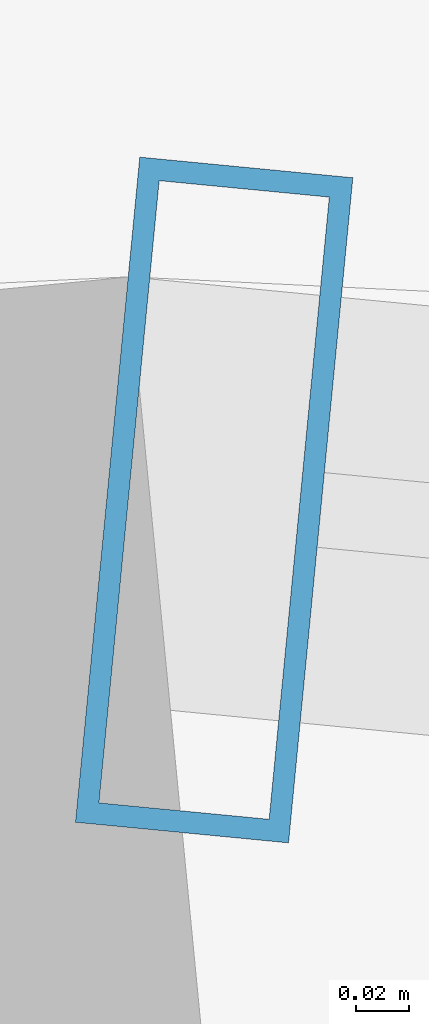
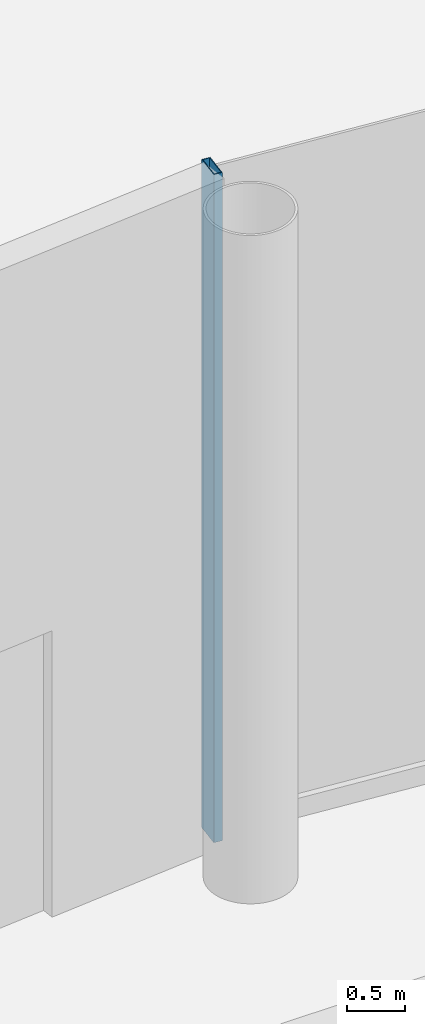
# One storey, part 51 of 67: 1 member, 1 element without a shape of its own.
"""IFC4 building model written with IfcOpenShell, lengths in metres."""

from ifc_helpers import new_model, si_unit, direction, frame, origin, origin_2d, place, context, subcontext, project, spatial, hollow_rectangle, extrude, material, layer, layer_set, material_profile, profile_set, type_object, element, aggregate, save


model = new_model("IFC4")

# Units and contexts
model_context = context("Model", 3, precision=1e-05, world=origin(), true_north=direction((0.0, 1.0)))
body_context = subcontext(model_context, "Body", "Model", "MODEL_VIEW")
ifc_project = project(units=[si_unit("LENGTHUNIT", "METRE"), si_unit("AREAUNIT", "SQUARE_METRE"), si_unit("VOLUMEUNIT", "CUBIC_METRE"), si_unit("PLANEANGLEUNIT", "RADIAN"), si_unit("MASSUNIT", "GRAM", prefix="KILO")], contexts=[model_context])

# Site, building, storey
site_placement = place(None, origin())
site = spatial("IfcSite", under=ifc_project, at=site_placement, CompositionType="ELEMENT")
building_placement = place(site_placement, origin())
building = spatial("IfcBuilding", under=site, at=building_placement, Name="Nagisa Residences", CompositionType="ELEMENT")
storey_placement = place(building_placement, origin())
storey = spatial("IfcBuildingStorey", under=building, at=storey_placement, Name="L00", CompositionType="ELEMENT", Elevation=0.0)

# Curtain wall, member
ifc_material_1 = material(Name="Stainless steel curtain wall system", Category="steel")
ifc_layer = layer(ifc_material_1, 0.159912109375)
ifc_layer_set = layer_set([ifc_layer], Name="CW3 CURTAIN WALL")
curtain_wall_type = type_object("IfcCurtainWallType", Name="CW3 CURTAIN WALL", PredefinedType="NOTDEFINED", material=ifc_layer_set)
curtain_wall_placement = place(storey_placement, origin())
curtain_wall = element("IfcCurtainWall", 1, at=curtain_wall_placement, inside=storey, type_object=curtain_wall_type, Name="cw:CW3:L00:08", PredefinedType="NOTDEFINED")
ifc_material_2 = material(Name="Stainless steel", Category="steel")
ifc_material_profile = material_profile(ifc_material_2, hollow_rectangle(XDim=0.25, YDim=0.080078125, WallThickness=0.008056640625, at=origin_2d()), Name="CW3 MULLION 250x80")
ifc_profile_set = profile_set([ifc_material_profile], Name="Stainless steel")
member_type = type_object("IfcMemberType", Name="CW3 MULLION 250x80", PredefinedType="MULLION", material=ifc_profile_set)
member_placement = place(storey_placement, frame((3.632080078125, 41.91650390625, 0.0), z_axis=(0.0, 0.0, 1.0), x_axis=(-0.096249055035, -0.995357282289, 0.0)))
member = element("IfcMember", 2, at=member_placement, type_object=member_type, Name="CW3 mullion", PredefinedType="MULLION", context=body_context, shape_type="SweptSolid", body=[
    extrude(hollow_rectangle(XDim=0.25, YDim=0.080078125, WallThickness=0.008056640625, at=origin_2d()), origin(), (0.0, 0.0, 1.0), 7.0),
])
aggregate(curtain_wall, [member])

save(model, "model.ifc")
